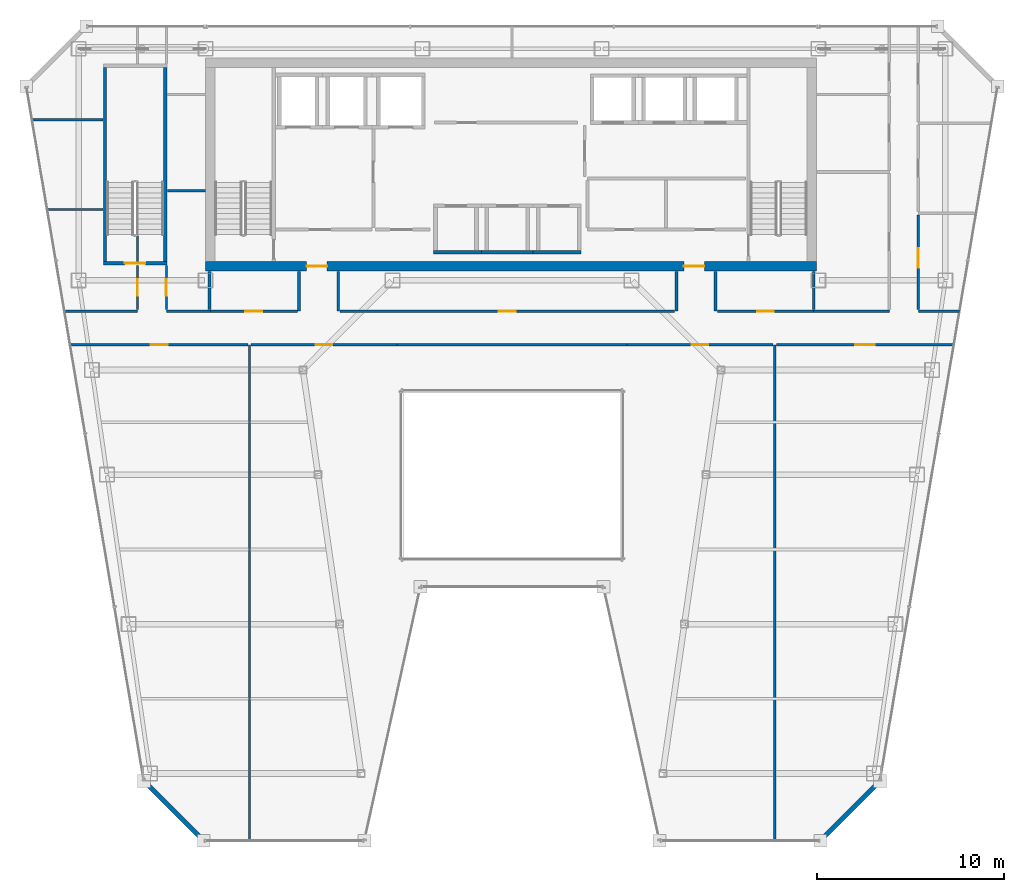
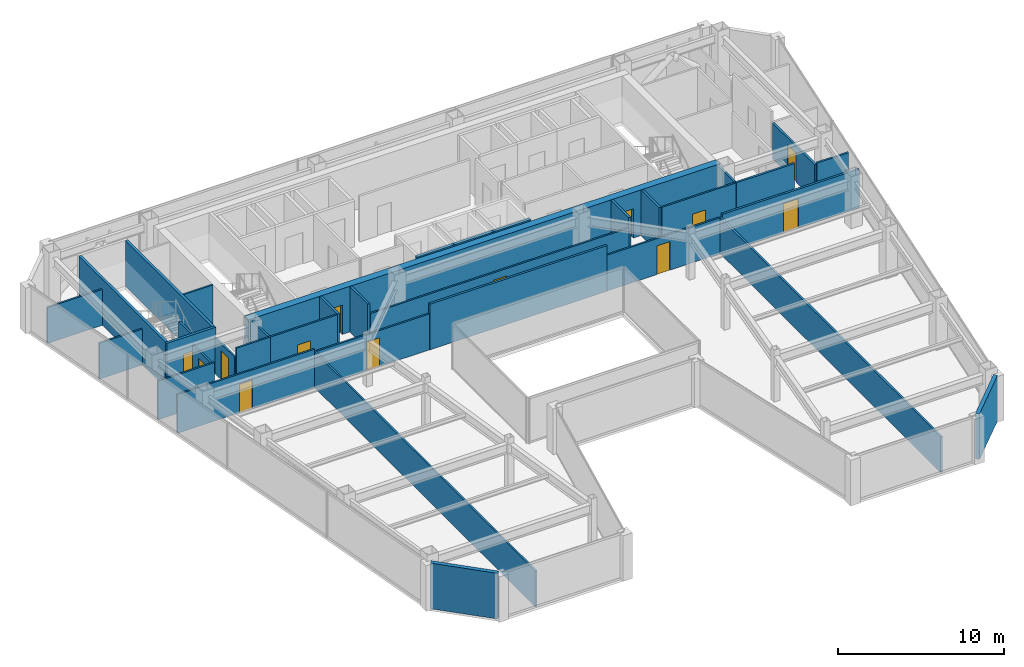
# One storey, part 28 of 34: 36 walls, 13 doors, 13 openings.
"""IFC4 building model written with IfcOpenShell, lengths in metres."""

from ifc_helpers import new_model, si_unit, direction, frame, frame_2d, origin, place, context, subcontext, project, spatial, rectangle, extrude, material, layer, layer_set, type_object, element, fill, save


model = new_model("IFC4")

# Units and contexts
model_context = context("Model", 3, precision=1e-05, world=origin(), true_north=direction((0.0, 1.0)))
body_context = subcontext(model_context, "Body", "Model", "MODEL_VIEW")
ifc_project = project(units=[si_unit("LENGTHUNIT", "METRE"), si_unit("AREAUNIT", "SQUARE_METRE"), si_unit("VOLUMEUNIT", "CUBIC_METRE"), si_unit("PLANEANGLEUNIT", "RADIAN"), si_unit("MASSUNIT", "GRAM", prefix="KILO")], contexts=[model_context])

# Site, building, storey
site_placement = place(None, origin())
site = spatial("IfcSite", under=ifc_project, at=site_placement, CompositionType="ELEMENT")
building_placement = place(site_placement, origin())
building = spatial("IfcBuilding", under=site, at=building_placement, Name="Saevonmaru Cultural Tower", CompositionType="ELEMENT")
storey_placement = place(building_placement, frame((0.0, 0.0, 220.800048828125)))
storey = spatial("IfcBuildingStorey", under=building, at=storey_placement, Name="L51", CompositionType="ELEMENT", Elevation=220.800048828125)

# Wall, openings, doors
ifc_material_1 = material(Name="Concrete C60/75", Category="concrete")
ifc_layer_1 = layer(ifc_material_1, 0.5, Name="Concrete C60/75")
ifc_layer_set_1 = layer_set([ifc_layer_1], Name="Concrete C60/75")
wall_type_1 = type_object("IfcWallType", Name="WL-CORE-500", PredefinedType="SHEAR", material=ifc_layer_set_1)
wall_1_placement = place(storey_placement, frame((13.60009765625, 43.14990234375, 0.0), z_axis=(0.0, 0.0, 1.0), x_axis=(1.0, 0.0, 0.0)))
wall_1 = element("IfcWall", 1, at=wall_1_placement, inside=storey, type_object=wall_type_1, Name="L51 Tower RC core shear wall S", PredefinedType="SHEAR", context=body_context, shape_type="SweptSolid", body=[
    extrude(rectangle(XDim=32.699951171875, YDim=0.5, at=frame_2d((16.35009765625, 0.0))), origin(), (0.0, 0.0, 1.0), 3.349853515625),
])
opening_1_placement = place(wall_1_placement, frame((5.39990234375, 0.0, 0.0)))
opening_1 = element("IfcOpeningElement", 2, at=opening_1_placement, cuts=wall_1, Name="Opening FD-2", PredefinedType="OPENING", context=body_context, shape_type="SweptSolid", body=[
    extrude(rectangle(XDim=1.10009765625, YDim=2.14990234375, at=frame_2d((0.550048828125, 1.074951171875))), frame((0.0, 0.260009765625, 0.0), z_axis=(0.0, -1.0, 0.0), x_axis=(1.0, 0.0, 0.0)), (0.0, 0.0, 1.0), 0.52001953125),
])
opening_2_placement = place(wall_1_placement, frame((25.60009765625, 0.0, 0.0)))
opening_2 = element("IfcOpeningElement", 3, at=opening_2_placement, cuts=wall_1, Name="Opening FD-2", PredefinedType="OPENING", context=body_context, shape_type="SweptSolid", body=[
    extrude(rectangle(XDim=1.10009765625, YDim=2.14990234375, at=frame_2d((0.550048828125, 1.074951171875))), frame((0.0, 0.260009765625, 0.0), z_axis=(0.0, -1.0, 0.0), x_axis=(1.0, 0.0, 0.0)), (0.0, 0.0, 1.0), 0.52001953125),
])
ifc_material_2 = material(Name="Satin Bronze Anodised Aluminium", Category="aluminium")
door_type_1 = type_object("IfcDoorType", Name="DR-FD60-1100", OperationType="SINGLE_SWING_LEFT", PredefinedType="DOOR", material=ifc_material_2)
door_1_placement = place(opening_1_placement, origin())
door_1 = element("IfcDoor", 4, at=door_1_placement, inside=storey, type_object=door_type_1, Name="L51 Core West Lobby Fire Door", OperationType="SINGLE_SWING_LEFT", OverallHeight=2.14990234375, OverallWidth=1.10009765625, PredefinedType="DOOR", context=body_context, shape_type="SweptSolid", body=[
    extrude(rectangle(XDim=1.10009765625, YDim=2.14990234375, at=frame_2d((0.550048828125, 1.074951171875))), frame((0.0, 0.02490234375, 0.0), z_axis=(0.0, -1.0, 0.0), x_axis=(1.0, 0.0, 0.0)), (0.0, 0.0, 1.0), 0.050048828125),
])
fill(opening_1, door_1)
door_2_placement = place(opening_2_placement, origin())
door_2 = element("IfcDoor", 5, at=door_2_placement, inside=storey, type_object=door_type_1, Name="L51 Core East Lobby Fire Door", OperationType="SINGLE_SWING_LEFT", OverallHeight=2.14990234375, OverallWidth=1.10009765625, PredefinedType="DOOR", context=body_context, shape_type="SweptSolid", body=[
    extrude(rectangle(XDim=1.10009765625, YDim=2.14990234375, at=frame_2d((0.550048828125, 1.074951171875))), frame((0.0, 0.02490234375, 0.0), z_axis=(0.0, -1.0, 0.0), x_axis=(1.0, 0.0, 0.0)), (0.0, 0.0, 1.0), 0.050048828125),
])
fill(opening_2, door_2)

# Walls
ifc_material_3 = material(Name="Granite-Clad Precast Concrete C40/50", Category="masonry")
ifc_layer_2 = layer(ifc_material_3, 0.260009765625, Name="Granite-Clad Precast Concrete C40/50")
ifc_layer_set_2 = layer_set([ifc_layer_2], Name="Granite-Clad Precast Concrete C40/50")
wall_type_2 = type_object("IfcWallType", Name="WL-EXT-SPANDREL-260", PredefinedType="STANDARD", material=ifc_layer_set_2)
for number, where, z_axis, x_axis, name in (
    (6, (10.410888671875, 15.48681640625, 0.0), (0.0, 0.0, 1.0), (0.707135806771, -0.70707775441, 0.0), "L51 Chamfer Corner Spandrel Wall E1"),
    (7, (46.615234375, 12.51318359375, 0.0), (0.0, 0.0, 1.0), (0.707135806771, 0.70707775441, 0.0), "L51 Chamfer Corner Spandrel Wall E7"),
):
    element("IfcWall", number, at=place(storey_placement, frame(where, z_axis=z_axis, x_axis=x_axis)), inside=storey, type_object=wall_type_2, Name=name, PredefinedType="STANDARD", context=body_context, shape_type="SweptSolid", body=[
        extrude(rectangle(XDim=4.20556640625, YDim=0.260009765625, at=frame_2d((2.102783203125, 0.0))), origin(), (0.0, 0.0, 1.0), 3.349853515625),
    ])

# Wall, opening, door
ifc_material_4 = material(Name="Gypsum Fireboard Partition", Category="gypsum")
ifc_layer_3 = layer(ifc_material_4, 0.14990234375, Name="Gypsum Fireboard Partition")
ifc_layer_set_3 = layer_set([ifc_layer_3], Name="Gypsum Fireboard Partition")
wall_type_3 = type_object("IfcWallType", Name="WL-PART-FIRE-150", PredefinedType="PARTITIONING", material=ifc_layer_set_3)
wall_2_placement = place(storey_placement, frame((51.75, 40.83740234375, 0.0), z_axis=(0.0, 0.0, 1.0), x_axis=(0.0, 1.0, 0.0)))
wall_2 = element("IfcWall", 8, at=wall_2_placement, inside=storey, type_object=wall_type_3, Name="L51 Sky Observatory Gallery Corridor Wall", PredefinedType="PARTITIONING", context=body_context, shape_type="SweptSolid", body=[
    extrude(rectangle(XDim=5.0751953125, YDim=0.14990234375, at=frame_2d((2.53759765625, 0.0))), origin(), (0.0, 0.0, 1.0), 2.635009765625),
])
opening_3_placement = place(wall_2_placement, frame((2.23291015625, 0.0, 0.0)))
opening_3 = element("IfcOpeningElement", 9, at=opening_3_placement, cuts=wall_2, Name="Opening ID-1", PredefinedType="OPENING", context=body_context, shape_type="SweptSolid", body=[
    extrude(rectangle(XDim=1.050048828125, YDim=2.14990234375, at=frame_2d((0.52490234375, 1.074951171875))), frame((0.0, 0.0849609375, 0.0), z_axis=(0.0, -1.0, 0.0), x_axis=(1.0, 0.0, 0.0)), (0.0, 0.0, 1.0), 0.169921875),
])
door_type_2 = type_object("IfcDoorType", Name="DR-INT-1050", OperationType="SINGLE_SWING_LEFT", PredefinedType="DOOR", material=ifc_material_2)
door_3_placement = place(opening_3_placement, origin())
door_3 = element("IfcDoor", 10, at=door_3_placement, inside=storey, type_object=door_type_2, Name="L51 Sky Observatory Gallery Door", OperationType="SINGLE_SWING_LEFT", OverallHeight=2.14990234375, OverallWidth=1.050048828125, PredefinedType="DOOR", context=body_context, shape_type="SweptSolid", body=[
    extrude(rectangle(XDim=1.050048828125, YDim=2.14990234375, at=frame_2d((0.52490234375, 1.074951171875))), frame((0.0, 0.02490234375, 0.0), z_axis=(0.0, -1.0, 0.0), x_axis=(1.0, 0.0, 0.0)), (0.0, 0.0, 1.0), 0.050048828125),
])
fill(opening_3, door_3)

# Walls
wall_3_placement = place(storey_placement, frame((13.800048828125, 40.830078125, 0.0), z_axis=(0.0, 0.0, 1.0), x_axis=(0.0, 1.0, 0.0)))
element("IfcWall", 11, at=wall_3_placement, inside=storey, type_object=wall_type_3, Name="L51 Core Portal Side Wall W0", PredefinedType="PARTITIONING", context=body_context, shape_type="SweptSolid", body=[
    extrude(rectangle(XDim=2.0498046875, YDim=0.14990234375, at=frame_2d((1.02490234375, 0.0))), origin(), (0.0, 0.0, 1.0), 3.349853515625),
])
for number, where, z_axis, x_axis, name in (
    (12, (18.60009765625, 40.75, 0.0), (0.0, 0.0, 1.0), (0.0, 1.0, 0.0), "L51 Core Portal Side Wall W1"),
    (13, (20.699951171875, 40.75, 0.0), (0.0, 0.0, 1.0), (0.0, 1.0, 0.0), "L51 Core Portal Side Wall W2"),
    (14, (38.800048828125, 40.75, 0.0), (0.0, 0.0, 1.0), (0.0, 1.0, 0.0), "L51 Core Portal Side Wall E1"),
    (15, (40.89990234375, 40.75, 0.0), (0.0, 0.0, 1.0), (0.0, 1.0, 0.0), "L51 Core Portal Side Wall E2"),
):
    element("IfcWall", number, at=place(storey_placement, frame(where, z_axis=z_axis, x_axis=x_axis)), inside=storey, type_object=wall_type_3, Name=name, PredefinedType="PARTITIONING", context=body_context, shape_type="SweptSolid", body=[
        extrude(rectangle(XDim=2.1298828125, YDim=0.14990234375, at=frame_2d((1.06494140625, 0.0))), origin(), (0.0, 0.0, 1.0), 3.349853515625),
    ])
wall_4_placement = place(storey_placement, frame((23.85009765625, 38.949951171875, 0.0), z_axis=(0.0, 0.0, 1.0), x_axis=(1.0, 0.0, 0.0)))
element("IfcWall", 16, at=wall_4_placement, inside=storey, type_object=wall_type_3, Name="L51 North Atrium Corridor Wall", PredefinedType="PARTITIONING", context=body_context, shape_type="SweptSolid", body=[
    extrude(rectangle(XDim=12.2998046875, YDim=0.14990234375, at=frame_2d((6.14990234375, 0.0))), origin(), (0.0, 0.0, 1.0), 3.349853515625),
])

# Wall, opening, door
wall_5_placement = place(storey_placement, frame((44.1474609375, 38.949951171875, 0.0), z_axis=(0.0, 0.0, 1.0), x_axis=(1.0, 0.0, 0.0)))
wall_5 = element("IfcWall", 17, at=wall_5_placement, inside=storey, type_object=wall_type_3, Name="L51 Sky Observatory Gallery Corridor Wall", PredefinedType="PARTITIONING", context=body_context, shape_type="SweptSolid", body=[
    extrude(rectangle(XDim=9.48974609375, YDim=0.14990234375, at=frame_2d((4.744873046875, 0.0))), origin(), (0.0, 0.0, 1.0), 2.8349609375),
])
opening_4_placement = place(wall_5_placement, frame((4.219970703125, 0.0, 0.0)))
opening_4 = element("IfcOpeningElement", 18, at=opening_4_placement, cuts=wall_5, Name="Opening ID-1", PredefinedType="OPENING", context=body_context, shape_type="SweptSolid", body=[
    extrude(rectangle(XDim=1.050048828125, YDim=2.14990234375, at=frame_2d((0.52490234375, 1.074951171875))), frame((0.0, 0.0849609375, 0.0), z_axis=(0.0, -1.0, 0.0), x_axis=(1.0, 0.0, 0.0)), (0.0, 0.0, 1.0), 0.169921875),
])
door_4_placement = place(opening_4_placement, origin())
door_4 = element("IfcDoor", 19, at=door_4_placement, inside=storey, type_object=door_type_2, Name="L51 Sky Observatory Gallery Door", OperationType="SINGLE_SWING_RIGHT", OverallHeight=2.14990234375, OverallWidth=1.050048828125, PredefinedType="DOOR", context=body_context, shape_type="SweptSolid", body=[
    extrude(rectangle(XDim=1.050048828125, YDim=2.14990234375, at=frame_2d((0.52490234375, 1.074951171875))), frame((0.0, 0.02490234375, 0.0), z_axis=(0.0, -1.0, 0.0), x_axis=(1.0, 0.0, 0.0)), (0.0, 0.0, 1.0), 0.050048828125),
])
fill(opening_4, door_4)

# Walls
ifc_layer_4 = layer(ifc_material_4, 0.1201171875, Name="Gypsum Fireboard Partition")
ifc_layer_set_4 = layer_set([ifc_layer_4], Name="Gypsum Fireboard Partition")
wall_type_4 = type_object("IfcWallType", Name="WL-PART-GYP-120", PredefinedType="PARTITIONING", material=ifc_layer_set_4)
wall_6_placement = place(storey_placement, frame((6.045166015625, 40.75, 0.0), z_axis=(0.0, 0.0, 1.0), x_axis=(1.0, 0.0, 0.0)))
element("IfcWall", 20, at=wall_6_placement, inside=storey, type_object=wall_type_4, Name="L51 NW Wing South Wall", PredefinedType="PARTITIONING", context=body_context, shape_type="SweptSolid", body=[
    extrude(rectangle(XDim=3.90478515625, YDim=0.1201171875, at=frame_2d((1.952392578125, 0.0))), origin(), (0.0, 0.0, 1.0), 2.8349609375),
])
wall_7_placement = place(storey_placement, frame((11.5, 40.75, 0.0), z_axis=(0.0, 0.0, 1.0), x_axis=(1.0, 0.0, 0.0)))
element("IfcWall", 21, at=wall_7_placement, inside=storey, type_object=wall_type_4, Name="L51 NW Inner South Wall", PredefinedType="PARTITIONING", context=body_context, shape_type="SweptSolid", body=[
    extrude(rectangle(XDim=2.35009765625, YDim=0.1201171875, at=frame_2d((1.175048828125, 0.0))), origin(), (0.0, 0.0, 1.0), 3.349853515625),
])
wall_8_placement = place(storey_placement, frame((5.122314453125, 46.199951171875, 0.0), z_axis=(0.0, 0.0, 1.0), x_axis=(1.0, 0.0, 0.0)))
element("IfcWall", 22, at=wall_8_placement, inside=storey, type_object=wall_type_4, Name="L51 NW Studio Divider 1", PredefinedType="PARTITIONING", context=body_context, shape_type="SweptSolid", body=[
    extrude(rectangle(XDim=2.977783203125, YDim=0.1201171875, at=frame_2d((1.48876953125, 0.0))), origin(), (0.0, 0.0, 1.0), 2.635009765625),
])
wall_9_placement = place(storey_placement, frame((4.309814453125, 51.0, 0.0), z_axis=(0.0, 0.0, 1.0), x_axis=(1.0, 0.0, 0.0)))
element("IfcWall", 23, at=wall_9_placement, inside=storey, type_object=wall_type_4, Name="L51 NW Studio Divider 2", PredefinedType="PARTITIONING", context=body_context, shape_type="SweptSolid", body=[
    extrude(rectangle(XDim=3.790283203125, YDim=0.1201171875, at=frame_2d((1.89501953125, 0.0))), origin(), (0.0, 0.0, 1.0), 2.635009765625),
])

# Wall, opening, door
wall_10_placement = place(storey_placement, frame((9.949951171875, 40.830078125, 0.0), z_axis=(0.0, 0.0, 1.0), x_axis=(0.0, 1.0, 0.0)))
wall_10 = element("IfcWall", 24, at=wall_10_placement, inside=storey, type_object=wall_type_4, Name="L51 Design Seminar Classroom Corridor Wall", PredefinedType="PARTITIONING", context=body_context, shape_type="SweptSolid", body=[
    extrude(rectangle(XDim=2.369873046875, YDim=0.1201171875, at=frame_2d((1.18505859375, 0.0))), origin(), (0.0, 0.0, 1.0), 2.635009765625),
])
opening_5_placement = place(wall_10_placement, frame((0.735107421875, 0.0, 0.0)))
opening_5 = element("IfcOpeningElement", 25, at=opening_5_placement, cuts=wall_10, Name="Opening ID-2", PredefinedType="OPENING", context=body_context, shape_type="SweptSolid", body=[
    extrude(rectangle(XDim=0.89990234375, YDim=2.10009765625, at=frame_2d((0.449951171875, 1.050048828125))), frame((0.0, 0.070068359375, 0.0), z_axis=(0.0, -1.0, 0.0), x_axis=(1.0, 0.0, 0.0)), (0.0, 0.0, 1.0), 0.14013671875),
])
ifc_material_5 = material(Name="Acoustic Stained Oak Timber", Category="wood")
door_type_3 = type_object("IfcDoorType", Name="DR-INT-900", OperationType="SINGLE_SWING_RIGHT", PredefinedType="DOOR", material=ifc_material_5)
door_5_placement = place(opening_5_placement, origin())
door_5 = element("IfcDoor", 26, at=door_5_placement, inside=storey, type_object=door_type_3, Name="L51 Design Seminar Classroom Door", OperationType="SINGLE_SWING_LEFT", OverallHeight=2.10009765625, OverallWidth=0.89990234375, PredefinedType="DOOR", context=body_context, shape_type="SweptSolid", body=[
    extrude(rectangle(XDim=0.89990234375, YDim=2.10009765625, at=frame_2d((0.449951171875, 1.050048828125))), frame((0.0, 0.02490234375, 0.0), z_axis=(0.0, -1.0, 0.0), x_axis=(1.0, 0.0, 0.0)), (0.0, 0.0, 1.0), 0.050048828125),
])
fill(opening_5, door_5)

# Walls
wall_11_placement = place(storey_placement, frame((9.949951171875, 43.419921875, 0.0), z_axis=(0.0, 0.0, 1.0), x_axis=(0.0, 1.0, 0.0)))
element("IfcWall", 27, at=wall_11_placement, inside=storey, type_object=wall_type_4, Name="L51 Design Seminar Classroom Corridor Wall (2)", PredefinedType="PARTITIONING", context=body_context, shape_type="SweptSolid", body=[
    extrude(rectangle(XDim=1.4501953125, YDim=0.1201171875, at=frame_2d((0.72509765625, 0.0))), origin(), (0.0, 0.0, 1.0), 3.349853515625),
])
wall_12_placement = place(storey_placement, frame((11.550048828125, 47.199951171875, 0.0), z_axis=(0.0, 0.0, 1.0), x_axis=(1.0, 0.0, 0.0)))
element("IfcWall", 28, at=wall_12_placement, inside=storey, type_object=wall_type_4, Name="L51 NW Inner Divider", PredefinedType="PARTITIONING", context=body_context, shape_type="SweptSolid", body=[
    extrude(rectangle(XDim=2.030029296875, YDim=0.1201171875, at=frame_2d((1.01513671875, 0.0))), origin(), (0.0, 0.0, 1.0), 3.349853515625),
])

# Wall, opening, door
wall_13_placement = place(storey_placement, frame((11.5, 40.830078125, 0.0), z_axis=(0.0, 0.0, 1.0), x_axis=(0.0, 1.0, 0.0)))
wall_13 = element("IfcWall", 29, at=wall_13_placement, inside=storey, type_object=wall_type_4, Name="L51 Printmaking Workshop Classroom Corridor Wall", PredefinedType="PARTITIONING", context=body_context, shape_type="SweptSolid", body=[
    extrude(rectangle(XDim=2.369873046875, YDim=0.1201171875, at=frame_2d((1.18505859375, 0.0))), origin(), (0.0, 0.0, 1.0), 2.635009765625),
])
opening_6_placement = place(wall_13_placement, frame((0.735107421875, 0.0, 0.0)))
opening_6 = element("IfcOpeningElement", 30, at=opening_6_placement, cuts=wall_13, Name="Opening ID-2", PredefinedType="OPENING", context=body_context, shape_type="SweptSolid", body=[
    extrude(rectangle(XDim=0.89990234375, YDim=2.10009765625, at=frame_2d((0.449951171875, 1.050048828125))), frame((0.0, 0.070068359375, 0.0), z_axis=(0.0, -1.0, 0.0), x_axis=(1.0, 0.0, 0.0)), (0.0, 0.0, 1.0), 0.14013671875),
])
door_6_placement = place(opening_6_placement, origin())
door_6 = element("IfcDoor", 31, at=door_6_placement, inside=storey, type_object=door_type_3, Name="L51 Printmaking Workshop Classroom Door", OperationType="SINGLE_SWING_RIGHT", OverallHeight=2.10009765625, OverallWidth=0.89990234375, PredefinedType="DOOR", context=body_context, shape_type="SweptSolid", body=[
    extrude(rectangle(XDim=0.89990234375, YDim=2.10009765625, at=frame_2d((0.449951171875, 1.050048828125))), frame((0.0, 0.02490234375, 0.0), z_axis=(0.0, -1.0, 0.0), x_axis=(1.0, 0.0, 0.0)), (0.0, 0.0, 1.0), 0.050048828125),
])
fill(opening_6, door_6)

wall_14_placement = place(storey_placement, frame((13.85009765625, 40.75, 0.0), z_axis=(0.0, 0.0, 1.0), x_axis=(1.0, 0.0, 0.0)))
wall_14 = element("IfcWall", 32, at=wall_14_placement, inside=storey, type_object=wall_type_4, Name="L51 Design Seminar Classroom Corridor Wall", PredefinedType="PARTITIONING", context=body_context, shape_type="SweptSolid", body=[
    extrude(rectangle(XDim=4.65478515625, YDim=0.1201171875, at=frame_2d((2.327392578125, 0.0))), origin(), (0.0, 0.0, 1.0), 3.349853515625),
])
opening_7_placement = place(wall_14_placement, frame((1.876953125, 0.0, 0.0)))
opening_7 = element("IfcOpeningElement", 33, at=opening_7_placement, cuts=wall_14, Name="Opening ID-2", PredefinedType="OPENING", context=body_context, shape_type="SweptSolid", body=[
    extrude(rectangle(XDim=0.89990234375, YDim=2.10009765625, at=frame_2d((0.449951171875, 1.050048828125))), frame((0.0, 0.070068359375, 0.0), z_axis=(0.0, -1.0, 0.0), x_axis=(1.0, 0.0, 0.0)), (0.0, 0.0, 1.0), 0.14013671875),
])
door_7_placement = place(opening_7_placement, origin())
door_7 = element("IfcDoor", 34, at=door_7_placement, inside=storey, type_object=door_type_3, Name="L51 Design Seminar Classroom Door", OperationType="SINGLE_SWING_RIGHT", OverallHeight=2.10009765625, OverallWidth=0.89990234375, PredefinedType="DOOR", context=body_context, shape_type="SweptSolid", body=[
    extrude(rectangle(XDim=0.89990234375, YDim=2.10009765625, at=frame_2d((0.449951171875, 1.050048828125))), frame((0.0, 0.02490234375, 0.0), z_axis=(0.0, -1.0, 0.0), x_axis=(1.0, 0.0, 0.0)), (0.0, 0.0, 1.0), 0.050048828125),
])
fill(opening_7, door_7)

wall_15_placement = place(storey_placement, frame((20.794921875, 40.75, 0.0), z_axis=(0.0, 0.0, 1.0), x_axis=(1.0, 0.0, 0.0)))
wall_15 = element("IfcWall", 35, at=wall_15_placement, inside=storey, type_object=wall_type_4, Name="L51 Printmaking Workshop Classroom Corridor Wall", PredefinedType="PARTITIONING", context=body_context, shape_type="SweptSolid", body=[
    extrude(rectangle(XDim=17.91015625, YDim=0.1201171875, at=frame_2d((8.955078125, 0.0))), origin(), (0.0, 0.0, 1.0), 2.635009765625),
])
opening_8_placement = place(wall_15_placement, frame((8.5048828125, 0.0, 0.0)))
opening_8 = element("IfcOpeningElement", 36, at=opening_8_placement, cuts=wall_15, Name="Opening ID-2", PredefinedType="OPENING", context=body_context, shape_type="SweptSolid", body=[
    extrude(rectangle(XDim=0.89990234375, YDim=2.10009765625, at=frame_2d((0.449951171875, 1.050048828125))), frame((0.0, 0.070068359375, 0.0), z_axis=(0.0, -1.0, 0.0), x_axis=(1.0, 0.0, 0.0)), (0.0, 0.0, 1.0), 0.14013671875),
])
door_8_placement = place(opening_8_placement, origin())
door_8 = element("IfcDoor", 37, at=door_8_placement, inside=storey, type_object=door_type_3, Name="L51 Printmaking Workshop Classroom Door", OperationType="SINGLE_SWING_LEFT", OverallHeight=2.10009765625, OverallWidth=0.89990234375, PredefinedType="DOOR", context=body_context, shape_type="SweptSolid", body=[
    extrude(rectangle(XDim=0.89990234375, YDim=2.10009765625, at=frame_2d((0.449951171875, 1.050048828125))), frame((0.0, 0.02490234375, 0.0), z_axis=(0.0, -1.0, 0.0), x_axis=(1.0, 0.0, 0.0)), (0.0, 0.0, 1.0), 0.050048828125),
])
fill(opening_8, door_8)

wall_16_placement = place(storey_placement, frame((40.9951171875, 40.75, 0.0), z_axis=(0.0, 0.0, 1.0), x_axis=(1.0, 0.0, 0.0)))
wall_16 = element("IfcWall", 38, at=wall_16_placement, inside=storey, type_object=wall_type_4, Name="L51 Typography Design Classroom Corridor Wall", PredefinedType="PARTITIONING", context=body_context, shape_type="SweptSolid", body=[
    extrude(rectangle(XDim=5.15478515625, YDim=0.1201171875, at=frame_2d((2.577392578125, 0.0))), origin(), (0.0, 0.0, 1.0), 3.349853515625),
])
opening_9_placement = place(wall_16_placement, frame((2.1279296875, 0.0, 0.0)))
opening_9 = element("IfcOpeningElement", 39, at=opening_9_placement, cuts=wall_16, Name="Opening ID-2", PredefinedType="OPENING", context=body_context, shape_type="SweptSolid", body=[
    extrude(rectangle(XDim=0.89990234375, YDim=2.10009765625, at=frame_2d((0.449951171875, 1.050048828125))), frame((0.0, 0.070068359375, 0.0), z_axis=(0.0, -1.0, 0.0), x_axis=(1.0, 0.0, 0.0)), (0.0, 0.0, 1.0), 0.14013671875),
])
door_9_placement = place(opening_9_placement, origin())
door_9 = element("IfcDoor", 40, at=door_9_placement, inside=storey, type_object=door_type_3, Name="L51 Typography Design Classroom Door", OperationType="SINGLE_SWING_RIGHT", OverallHeight=2.10009765625, OverallWidth=0.89990234375, PredefinedType="DOOR", context=body_context, shape_type="SweptSolid", body=[
    extrude(rectangle(XDim=0.89990234375, YDim=2.10009765625, at=frame_2d((0.449951171875, 1.050048828125))), frame((0.0, 0.02490234375, 0.0), z_axis=(0.0, -1.0, 0.0), x_axis=(1.0, 0.0, 0.0)), (0.0, 0.0, 1.0), 0.050048828125),
])
fill(opening_9, door_9)

# Wall
wall_17_placement = place(storey_placement, frame((15.93994140625, 12.405029296875, 0.0), z_axis=(0.0, 0.0, 1.0), x_axis=(0.0, 1.0, 0.0)))
element("IfcWall", 41, at=wall_17_placement, inside=storey, type_object=wall_type_4, Name="L51 West Bay Divider 1", PredefinedType="PARTITIONING", context=body_context, shape_type="SweptSolid", body=[
    extrude(rectangle(XDim=26.544921875, YDim=0.1201171875, at=frame_2d((13.2724609375, 0.0))), origin(), (0.0, 0.0, 1.0), 2.635009765625),
])

# Wall, opening, door
wall_18_placement = place(storey_placement, frame((6.36279296875, 38.949951171875, 0.0), z_axis=(0.0, 0.0, 1.0), x_axis=(1.0, 0.0, 0.0)))
wall_18 = element("IfcWall", 42, at=wall_18_placement, inside=storey, type_object=wall_type_4, Name="L51 Design Seminar Classroom Corridor Wall", PredefinedType="PARTITIONING", context=body_context, shape_type="SweptSolid", body=[
    extrude(rectangle(XDim=9.497314453125, YDim=0.1201171875, at=frame_2d((4.74853515625, 0.0))), origin(), (0.0, 0.0, 1.0), 2.8349609375),
])
opening_10_placement = place(wall_18_placement, frame((4.299072265625, 0.0, 0.0)))
opening_10 = element("IfcOpeningElement", 43, at=opening_10_placement, cuts=wall_18, Name="Opening ID-2", PredefinedType="OPENING", context=body_context, shape_type="SweptSolid", body=[
    extrude(rectangle(XDim=0.89990234375, YDim=2.10009765625, at=frame_2d((0.449951171875, 1.050048828125))), frame((0.0, 0.070068359375, 0.0), z_axis=(0.0, -1.0, 0.0), x_axis=(1.0, 0.0, 0.0)), (0.0, 0.0, 1.0), 0.14013671875),
])
door_10_placement = place(opening_10_placement, origin())
door_10 = element("IfcDoor", 44, at=door_10_placement, inside=storey, type_object=door_type_3, Name="L51 Design Seminar Classroom Door", OperationType="SINGLE_SWING_LEFT", OverallHeight=2.10009765625, OverallWidth=0.89990234375, PredefinedType="DOOR", context=body_context, shape_type="SweptSolid", body=[
    extrude(rectangle(XDim=0.89990234375, YDim=2.10009765625, at=frame_2d((0.449951171875, 1.050048828125))), frame((0.0, 0.02490234375, 0.0), z_axis=(0.0, -1.0, 0.0), x_axis=(1.0, 0.0, 0.0)), (0.0, 0.0, 1.0), 0.050048828125),
])
fill(opening_10, door_10)

wall_19_placement = place(storey_placement, frame((16.02001953125, 38.949951171875, 0.0), z_axis=(0.0, 0.0, 1.0), x_axis=(1.0, 0.0, 0.0)))
wall_19 = element("IfcWall", 45, at=wall_19_placement, inside=storey, type_object=wall_type_4, Name="L51 Printmaking Workshop Classroom Corridor Wall", PredefinedType="PARTITIONING", context=body_context, shape_type="SweptSolid", body=[
    extrude(rectangle(XDim=7.830078125, YDim=0.1201171875, at=frame_2d((3.9150390625, 0.0))), origin(), (0.0, 0.0, 1.0), 2.635009765625),
])
opening_11_placement = place(wall_19_placement, frame((3.465087890625, 0.0, 0.0)))
opening_11 = element("IfcOpeningElement", 46, at=opening_11_placement, cuts=wall_19, Name="Opening ID-2", PredefinedType="OPENING", context=body_context, shape_type="SweptSolid", body=[
    extrude(rectangle(XDim=0.89990234375, YDim=2.10009765625, at=frame_2d((0.449951171875, 1.050048828125))), frame((0.0, 0.070068359375, 0.0), z_axis=(0.0, -1.0, 0.0), x_axis=(1.0, 0.0, 0.0)), (0.0, 0.0, 1.0), 0.14013671875),
])
door_11_placement = place(opening_11_placement, origin())
door_11 = element("IfcDoor", 47, at=door_11_placement, inside=storey, type_object=door_type_3, Name="L51 Printmaking Workshop Classroom Door", OperationType="SINGLE_SWING_RIGHT", OverallHeight=2.10009765625, OverallWidth=0.89990234375, PredefinedType="DOOR", context=body_context, shape_type="SweptSolid", body=[
    extrude(rectangle(XDim=0.89990234375, YDim=2.10009765625, at=frame_2d((0.449951171875, 1.050048828125))), frame((0.0, 0.02490234375, 0.0), z_axis=(0.0, -1.0, 0.0), x_axis=(1.0, 0.0, 0.0)), (0.0, 0.0, 1.0), 0.050048828125),
])
fill(opening_11, door_11)

wall_20_placement = place(storey_placement, frame((36.14990234375, 38.949951171875, 0.0), z_axis=(0.0, 0.0, 1.0), x_axis=(1.0, 0.0, 0.0)))
wall_20 = element("IfcWall", 48, at=wall_20_placement, inside=storey, type_object=wall_type_4, Name="L51 Typography Design Classroom Corridor Wall", PredefinedType="PARTITIONING", context=body_context, shape_type="SweptSolid", body=[
    extrude(rectangle(XDim=7.822509765625, YDim=0.1201171875, at=frame_2d((3.9111328125, 0.0))), origin(), (0.0, 0.0, 1.0), 2.635009765625),
])
opening_12_placement = place(wall_20_placement, frame((3.4609375, 0.0, 0.0)))
opening_12 = element("IfcOpeningElement", 49, at=opening_12_placement, cuts=wall_20, Name="Opening ID-2", PredefinedType="OPENING", context=body_context, shape_type="SweptSolid", body=[
    extrude(rectangle(XDim=0.89990234375, YDim=2.10009765625, at=frame_2d((0.449951171875, 1.050048828125))), frame((0.0, 0.070068359375, 0.0), z_axis=(0.0, -1.0, 0.0), x_axis=(1.0, 0.0, 0.0)), (0.0, 0.0, 1.0), 0.14013671875),
])
door_12_placement = place(opening_12_placement, origin())
door_12 = element("IfcDoor", 50, at=door_12_placement, inside=storey, type_object=door_type_3, Name="L51 Typography Design Classroom Door", OperationType="SINGLE_SWING_LEFT", OverallHeight=2.10009765625, OverallWidth=0.89990234375, PredefinedType="DOOR", context=body_context, shape_type="SweptSolid", body=[
    extrude(rectangle(XDim=0.89990234375, YDim=2.10009765625, at=frame_2d((0.449951171875, 1.050048828125))), frame((0.0, 0.02490234375, 0.0), z_axis=(0.0, -1.0, 0.0), x_axis=(1.0, 0.0, 0.0)), (0.0, 0.0, 1.0), 0.050048828125),
])
fill(opening_12, door_12)

# Walls
ifc_layer_5 = layer(ifc_material_4, 0.135009765625, Name="Gypsum Fireboard Partition")
ifc_layer_set_5 = layer_set([ifc_layer_5], Name="Gypsum Fireboard Partition")
wall_type_5 = type_object("IfcWallType", Name="WL-PART-GYP-135", PredefinedType="PARTITIONING", material=ifc_layer_set_5)
wall_21_placement = place(storey_placement, frame((51.75, 40.75, 0.0), z_axis=(0.0, 0.0, 1.0), x_axis=(1.0, 0.0, 0.0)))
element("IfcWall", 51, at=wall_21_placement, inside=storey, type_object=wall_type_5, Name="L51 NE Wing South Wall", PredefinedType="PARTITIONING", context=body_context, shape_type="SweptSolid", body=[
    extrude(rectangle(XDim=2.204833984375, YDim=0.135009765625, at=frame_2d((1.1025390625, 0.0))), origin(), (0.0, 0.0, 1.0), 2.8349609375),
])
wall_22_placement = place(storey_placement, frame((44.06005859375, 12.405029296875, 0.0), z_axis=(0.0, 0.0, 1.0), x_axis=(0.0, 1.0, 0.0)))
element("IfcWall", 52, at=wall_22_placement, inside=storey, type_object=wall_type_5, Name="L51 East Bay Divider 1", PredefinedType="PARTITIONING", context=body_context, shape_type="SweptSolid", body=[
    extrude(rectangle(XDim=26.544921875, YDim=0.135009765625, at=frame_2d((13.2724609375, 0.0))), origin(), (0.0, 0.0, 1.0), 2.635009765625),
])
ifc_layer_6 = layer(ifc_material_4, 0.139892578125, Name="Gypsum Fireboard Partition")
ifc_layer_set_6 = layer_set([ifc_layer_6], Name="Gypsum Fireboard Partition")
wall_type_6 = type_object("IfcWallType", Name="WL-PART-WET-140", PredefinedType="PARTITIONING", material=ifc_layer_set_6)
wall_23_placement = place(storey_placement, frame((46.14990234375, 40.75, 0.0), z_axis=(0.0, 0.0, 1.0), x_axis=(1.0, 0.0, 0.0)))
element("IfcWall", 53, at=wall_23_placement, inside=storey, type_object=wall_type_6, Name="L51 Washroom South Wall", PredefinedType="PARTITIONING", context=body_context, shape_type="SweptSolid", body=[
    extrude(rectangle(XDim=4.050048828125, YDim=0.139892578125, at=frame_2d((2.02490234375, 0.0))), origin(), (0.0, 0.0, 1.0), 3.349853515625),
])
wall_24_placement = place(storey_placement, frame((46.14990234375, 40.840087890625, 0.0), z_axis=(0.0, 0.0, 1.0), x_axis=(0.0, 1.0, 0.0)))
element("IfcWall", 54, at=wall_24_placement, inside=storey, type_object=wall_type_6, Name="L51 Washroom South-West Return", PredefinedType="PARTITIONING", context=body_context, shape_type="SweptSolid", body=[
    extrude(rectangle(XDim=2.039794921875, YDim=0.139892578125, at=frame_2d((1.02001953125, 0.0))), origin(), (0.0, 0.0, 1.0), 3.349853515625),
])
ifc_material_6 = material(Name="Concrete C40/50", Category="concrete")
ifc_layer_7 = layer(ifc_material_6, 0.199951171875, Name="Concrete C40/50")
ifc_layer_set_7 = layer_set([ifc_layer_7], Name="Concrete C40/50")
wall_type_7 = type_object("IfcWallType", Name="WL-SHAFT-200", PredefinedType="SHEAR", material=ifc_layer_set_7)
wall_25_placement = place(storey_placement, frame((25.800048828125, 43.89990234375, 0.0), z_axis=(0.0, 0.0, 1.0), x_axis=(1.0, 0.0, 0.0)))
element("IfcWall", 55, at=wall_25_placement, inside=storey, type_object=wall_type_7, Name="L51 Lift PL-M1 Hoistway Wall S", PredefinedType="SHEAR", context=body_context, shape_type="SweptSolid", body=[
    extrude(rectangle(XDim=2.574951171875, YDim=0.199951171875, at=frame_2d((1.28759765625, 0.0))), origin(), (0.0, 0.0, 1.0), 3.1298828125),
])
wall_26_placement = place(storey_placement, frame((28.375, 43.89990234375, 0.0), z_axis=(0.0, 0.0, 1.0), x_axis=(1.0, 0.0, 0.0)))
element("IfcWall", 56, at=wall_26_placement, inside=storey, type_object=wall_type_7, Name="L51 Lift PL-M2 Hoistway Wall S", PredefinedType="SHEAR", context=body_context, shape_type="SweptSolid", body=[
    extrude(rectangle(XDim=2.75, YDim=0.199951171875, at=frame_2d((1.375, 0.0))), origin(), (0.0, 0.0, 1.0), 3.1298828125),
])
wall_27_placement = place(storey_placement, frame((31.125, 43.89990234375, 0.0), z_axis=(0.0, 0.0, 1.0), x_axis=(1.0, 0.0, 0.0)))
element("IfcWall", 57, at=wall_27_placement, inside=storey, type_object=wall_type_7, Name="L51 Lift PL-M3 Hoistway Wall S", PredefinedType="SHEAR", context=body_context, shape_type="SweptSolid", body=[
    extrude(rectangle(XDim=2.574951171875, YDim=0.199951171875, at=frame_2d((1.28759765625, 0.0))), origin(), (0.0, 0.0, 1.0), 3.1298828125),
])

# Wall, opening, door
ifc_layer_8 = layer(ifc_material_6, 0.179931640625, Name="Concrete C40/50")
ifc_layer_set_8 = layer_set([ifc_layer_8], Name="Concrete C40/50")
wall_type_8 = type_object("IfcWallType", Name="WL-STSHAFT-180", PredefinedType="SHEAR", material=ifc_layer_set_8)
wall_28_placement = place(storey_placement, frame((8.1201171875, 43.31005859375, 0.0), z_axis=(0.0, 0.0, 1.0), x_axis=(1.0, 0.0, 0.0)))
wall_28 = element("IfcWall", 58, at=wall_28_placement, inside=storey, type_object=wall_type_8, Name="L51 Stair ST-3 Structural Shaft Wall 1", PredefinedType="SHEAR", context=body_context, shape_type="SweptSolid", body=[
    extrude(rectangle(XDim=3.409912109375, YDim=0.179931640625, at=frame_2d((1.705078125, 0.0))), origin(), (0.0, 0.0, 1.0), 3.349853515625),
])
opening_13_placement = place(wall_28_placement, frame((1.14990234375, 0.0, 0.0)))
opening_13 = element("IfcOpeningElement", 59, at=opening_13_placement, cuts=wall_28, Name="Opening FD-2", PredefinedType="OPENING", context=body_context, shape_type="SweptSolid", body=[
    extrude(rectangle(XDim=1.10009765625, YDim=2.14990234375, at=frame_2d((0.550048828125, 1.074951171875))), frame((0.0, 0.10009765625, 0.0), z_axis=(0.0, -1.0, 0.0), x_axis=(1.0, 0.0, 0.0)), (0.0, 0.0, 1.0), 0.199951171875),
])
door_13_placement = place(opening_13_placement, origin())
door_13 = element("IfcDoor", 60, at=door_13_placement, inside=storey, type_object=door_type_1, Name="L51 Protected Stair ST-3 Fire Door", OperationType="SINGLE_SWING_LEFT", OverallHeight=2.14990234375, OverallWidth=1.10009765625, PredefinedType="DOOR", context=body_context, shape_type="SweptSolid", body=[
    extrude(rectangle(XDim=1.10009765625, YDim=2.14990234375, at=frame_2d((0.550048828125, 1.074951171875))), frame((0.0, 0.02490234375, 0.0), z_axis=(0.0, -1.0, 0.0), x_axis=(1.0, 0.0, 0.0)), (0.0, 0.0, 1.0), 0.050048828125),
])
fill(opening_13, door_13)

# Walls
for number, where, z_axis, x_axis, name in (
    (61, (11.43994140625, 43.39990234375, 0.0), (0.0, 0.0, 1.0), (0.0, 1.0, 0.0), "L51 Stair ST-3 Structural Shaft Wall 2"),
    (62, (8.2099609375, 53.800048828125, 0.0), (0.0, 0.0, 1.0), (0.0, -1.0, 0.0), "L51 Stair ST-3 Structural Shaft Wall 4"),
):
    element("IfcWall", number, at=place(storey_placement, frame(where, z_axis=z_axis, x_axis=x_axis)), inside=storey, type_object=wall_type_8, Name=name, PredefinedType="SHEAR", context=body_context, shape_type="SweptSolid", body=[
        extrude(rectangle(XDim=10.400146484375, YDim=0.179931640625, at=frame_2d((5.2001953125, 0.0))), origin(), (0.0, 0.0, 1.0), 3.349853515625),
    ])

save(model, "model.ifc")
